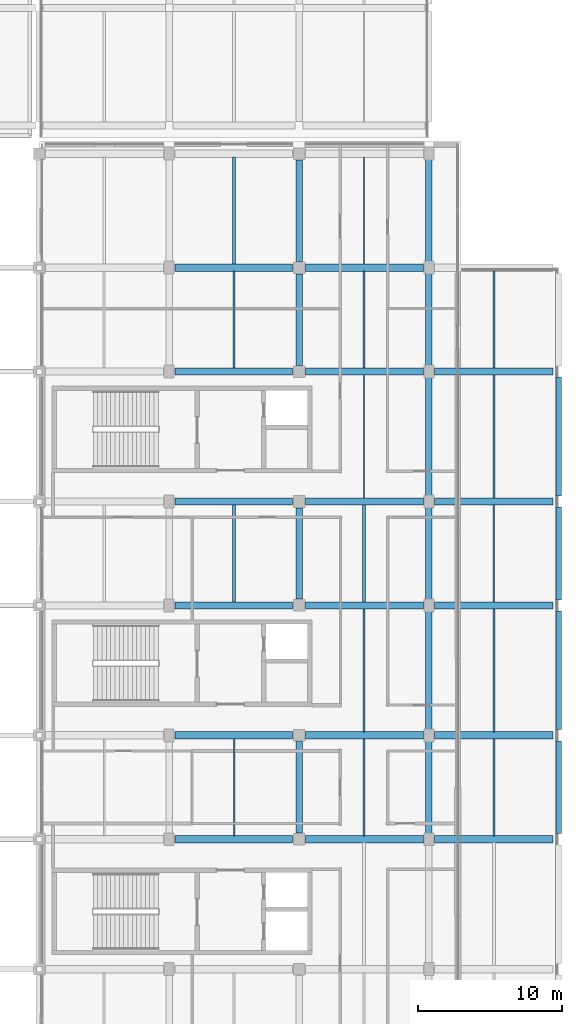
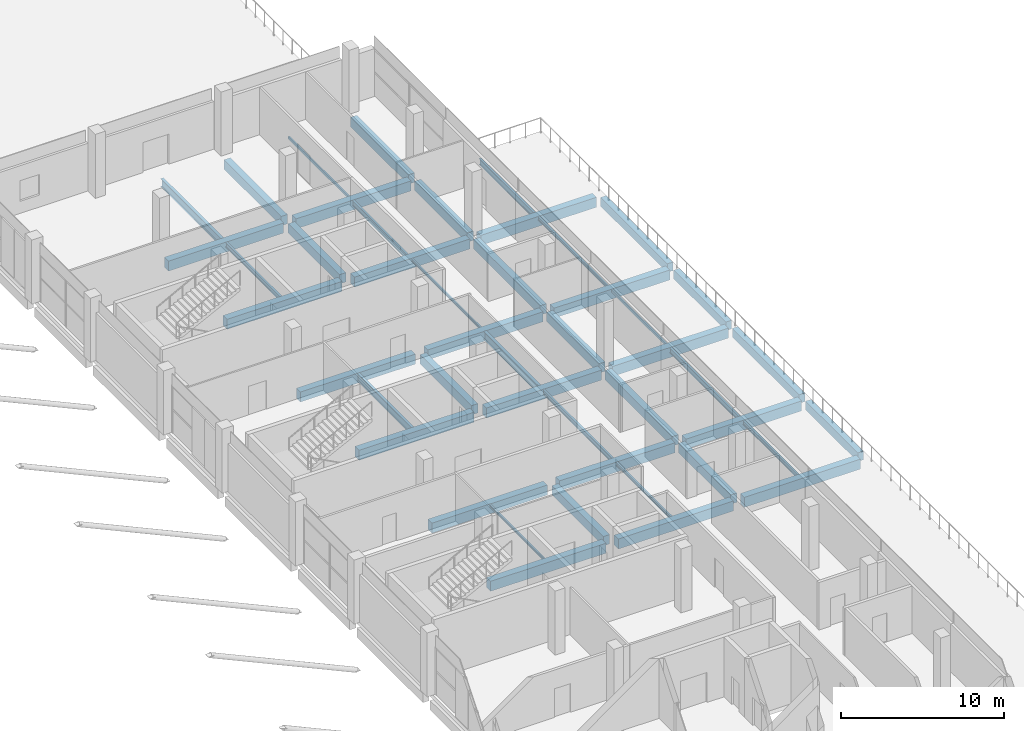
# One storey, part 32 of 82: 46 beams.
"""IFC4 building model written with IfcOpenShell, lengths in metres."""

from ifc_helpers import new_model, si_unit, direction, frame, origin, origin_2d, place, context, subcontext, project, spatial, rectangle, hollow_rectangle, i_section, extrude, material, material_profile, profile_set, type_object, element, save


model = new_model("IFC4")

# Units and contexts
model_context = context("Model", 3, precision=1e-05, world=origin(), true_north=direction((0.0, 1.0)))
body_context = subcontext(model_context, "Body", "Model", "MODEL_VIEW")
ifc_project = project(units=[si_unit("LENGTHUNIT", "METRE"), si_unit("AREAUNIT", "SQUARE_METRE"), si_unit("VOLUMEUNIT", "CUBIC_METRE"), si_unit("PLANEANGLEUNIT", "RADIAN"), si_unit("MASSUNIT", "GRAM", prefix="KILO"), si_unit("THERMODYNAMICTEMPERATUREUNIT", "KELVIN"), si_unit("POWERUNIT", "WATT")], contexts=[model_context])

# Site, building, storey
site_placement = place(None, origin())
site = spatial("IfcSite", under=ifc_project, at=site_placement, CompositionType="ELEMENT")
building_placement = place(site_placement, origin())
building = spatial("IfcBuilding", under=site, at=building_placement, Name="Sindhuravela Promenade Stadium", CompositionType="ELEMENT")
storey_placement = place(building_placement, frame((0.0, 0.0, 14.39990234375)))
storey = spatial("IfcBuildingStorey", under=building, at=storey_placement, Name="L03", CompositionType="ELEMENT", Elevation=14.39990234375)

# Beams
ifc_material_1 = material(Name="Concrete M40", Category="concrete")
ifc_material_profile_1 = material_profile(ifc_material_1, rectangle(XDim=0.39990234375, YDim=0.64990234375, at=origin_2d()), Name="RC 400x650")
ifc_profile_set_1 = profile_set([ifc_material_profile_1], Name="Concrete M40")
beam_type_1 = type_object("IfcBeamType", Name="RC-BM-400x650", PredefinedType="SPANDREL", material=ifc_profile_set_1)
beam_1_placement = place(storey_placement, frame((216.0, 77.7900390625, -0.635009765625), z_axis=(0.0, 1.0, 0.0), x_axis=(-1.0, 0.0, 0.0)))
element("IfcBeam", 1, at=beam_1_placement, inside=storey, type_object=beam_type_1, Name="Primary beam SP01 EAST L03", PredefinedType="SPANDREL", context=body_context, shape_type="SweptSolid", body=[
    extrude(rectangle(XDim=0.39990234375, YDim=0.64990234375, at=origin_2d()), origin(), (0.0, 0.0, 1.0), 6.419921875),
])
beam_2_placement = place(storey_placement, frame((216.0, 84.989990234375, -0.635009765625), z_axis=(0.0, 1.0, 0.0), x_axis=(-1.0, 0.0, 0.0)))
element("IfcBeam", 2, at=beam_2_placement, inside=storey, type_object=beam_type_1, Name="Primary beam SP01 EAST L03", PredefinedType="SPANDREL", context=body_context, shape_type="SweptSolid", body=[
    extrude(rectangle(XDim=0.39990234375, YDim=0.64990234375, at=origin_2d()), origin(), (0.0, 0.0, 1.0), 8.219970703125),
])
beam_3_placement = place(storey_placement, frame((216.0, 93.989990234375, -0.635009765625), z_axis=(0.0, 1.0, 0.0), x_axis=(-1.0, 0.0, 0.0)))
element("IfcBeam", 3, at=beam_3_placement, inside=storey, type_object=beam_type_1, Name="Primary beam SP01 EAST L03", PredefinedType="SPANDREL", context=body_context, shape_type="SweptSolid", body=[
    extrude(rectangle(XDim=0.39990234375, YDim=0.64990234375, at=origin_2d()), origin(), (0.0, 0.0, 1.0), 6.419921875),
])
beam_4_placement = place(storey_placement, frame((216.0, 101.18994140625, -0.635009765625), z_axis=(0.0, 1.0, 0.0), x_axis=(-1.0, 0.0, 0.0)))
element("IfcBeam", 4, at=beam_4_placement, inside=storey, type_object=beam_type_1, Name="Primary beam SP01 EAST L03", PredefinedType="SPANDREL", context=body_context, shape_type="SweptSolid", body=[
    extrude(rectangle(XDim=0.39990234375, YDim=0.64990234375, at=origin_2d()), origin(), (0.0, 0.0, 1.0), 8.219970703125),
])
ifc_material_profile_2 = material_profile(ifc_material_1, rectangle(XDim=0.449951171875, YDim=0.699951171875, at=origin_2d()), Name="RC 450x700")
ifc_profile_set_2 = profile_set([ifc_material_profile_2], Name="Concrete M40")
beam_type_2 = type_object("IfcBeamType", Name="RC-BM-450x700", PredefinedType="BEAM", material=ifc_profile_set_2)
beam_5_placement = place(storey_placement, frame((198.0, 77.840087890625, -0.64990234375), z_axis=(0.0, 1.0, 0.0), x_axis=(-1.0, 0.0, 0.0)))
element("IfcBeam", 5, at=beam_5_placement, inside=storey, type_object=beam_type_2, Name="Primary beam GB07 EAST L03", PredefinedType="BEAM", context=body_context, shape_type="SweptSolid", body=[
    extrude(rectangle(XDim=0.449951171875, YDim=0.699951171875, at=origin_2d()), origin(), (0.0, 0.0, 1.0), 6.31982421875),
])
for number, where, z_axis, x_axis, name in (
    (6, (198.0, 94.0400390625, -0.64990234375), (0.0, 1.0, 0.0), (-1.0, 0.0, 0.0), "Primary beam GB07 EAST L03"),
    (7, (198.0, 110.239990234375, -0.64990234375), (0.0, 1.0, 0.0), (-1.0, 0.0, 0.0), "Primary beam GB07 EAST L03"),
):
    element("IfcBeam", number, at=place(storey_placement, frame(where, z_axis=z_axis, x_axis=x_axis)), inside=storey, type_object=beam_type_2, Name=name, PredefinedType="BEAM", context=body_context, shape_type="SweptSolid", body=[
        extrude(rectangle(XDim=0.449951171875, YDim=0.699951171875, at=origin_2d()), origin(), (0.0, 0.0, 1.0), 6.320068359375),
    ])
beam_6_placement = place(storey_placement, frame((198.0, 117.43994140625, -0.64990234375), z_axis=(0.0, 1.0, 0.0), x_axis=(-1.0, 0.0, 0.0)))
element("IfcBeam", 8, at=beam_6_placement, inside=storey, type_object=beam_type_2, Name="Primary beam GB07 EAST L03", PredefinedType="BEAM", context=body_context, shape_type="SweptSolid", body=[
    extrude(rectangle(XDim=0.449951171875, YDim=0.699951171875, at=origin_2d()), origin(), (0.0, 0.0, 1.0), 7.02001953125),
])
beam_7_placement = place(storey_placement, frame((207.0, 77.7900390625, -0.64990234375), z_axis=(0.0, 1.0, 0.0), x_axis=(-1.0, 0.0, 0.0)))
element("IfcBeam", 9, at=beam_7_placement, inside=storey, type_object=beam_type_2, Name="Primary beam GB07 EAST L03", PredefinedType="BEAM", context=body_context, shape_type="SweptSolid", body=[
    extrude(rectangle(XDim=0.449951171875, YDim=0.699951171875, at=origin_2d()), origin(), (0.0, 0.0, 1.0), 6.419921875),
])
beam_8_placement = place(storey_placement, frame((207.0, 84.989990234375, -0.64990234375), z_axis=(0.0, 1.0, 0.0), x_axis=(-1.0, 0.0, 0.0)))
element("IfcBeam", 10, at=beam_8_placement, inside=storey, type_object=beam_type_2, Name="Primary beam GB07 EAST L03", PredefinedType="BEAM", context=body_context, shape_type="SweptSolid", body=[
    extrude(rectangle(XDim=0.449951171875, YDim=0.699951171875, at=origin_2d()), origin(), (0.0, 0.0, 1.0), 8.219970703125),
])
beam_9_placement = place(storey_placement, frame((207.0, 93.989990234375, -0.64990234375), z_axis=(0.0, 1.0, 0.0), x_axis=(-1.0, 0.0, 0.0)))
element("IfcBeam", 11, at=beam_9_placement, inside=storey, type_object=beam_type_2, Name="Primary beam GB07 EAST L03", PredefinedType="BEAM", context=body_context, shape_type="SweptSolid", body=[
    extrude(rectangle(XDim=0.449951171875, YDim=0.699951171875, at=origin_2d()), origin(), (0.0, 0.0, 1.0), 6.419921875),
])
beam_10_placement = place(storey_placement, frame((207.0, 101.18994140625, -0.64990234375), z_axis=(0.0, 1.0, 0.0), x_axis=(-1.0, 0.0, 0.0)))
element("IfcBeam", 12, at=beam_10_placement, inside=storey, type_object=beam_type_2, Name="Primary beam GB07 EAST L03", PredefinedType="BEAM", context=body_context, shape_type="SweptSolid", body=[
    extrude(rectangle(XDim=0.449951171875, YDim=0.699951171875, at=origin_2d()), origin(), (0.0, 0.0, 1.0), 8.219970703125),
])
beam_11_placement = place(storey_placement, frame((207.0, 110.18994140625, -0.64990234375), z_axis=(0.0, 1.0, 0.0), x_axis=(-1.0, 0.0, 0.0)))
element("IfcBeam", 13, at=beam_11_placement, inside=storey, type_object=beam_type_2, Name="Primary beam GB07 EAST L03", PredefinedType="BEAM", context=body_context, shape_type="SweptSolid", body=[
    extrude(rectangle(XDim=0.449951171875, YDim=0.699951171875, at=origin_2d()), origin(), (0.0, 0.0, 1.0), 6.420166015625),
])
beam_12_placement = place(storey_placement, frame((207.0, 117.389892578125, -0.64990234375), z_axis=(0.0, 1.0, 0.0), x_axis=(-1.0, 0.0, 0.0)))
element("IfcBeam", 14, at=beam_12_placement, inside=storey, type_object=beam_type_2, Name="Primary beam GB07 EAST L03", PredefinedType="BEAM", context=body_context, shape_type="SweptSolid", body=[
    extrude(rectangle(XDim=0.449951171875, YDim=0.699951171875, at=origin_2d()), origin(), (0.0, 0.0, 1.0), 7.1201171875),
])
ifc_material_profile_3 = material_profile(ifc_material_1, rectangle(XDim=0.5, YDim=0.75, at=origin_2d()), Name="RC 500x750")
ifc_profile_set_3 = profile_set([ifc_material_profile_3], Name="Concrete M40")
beam_type_3 = type_object("IfcBeamType", Name="RC-BM-500x750", PredefinedType="BEAM", material=ifc_profile_set_3)
for number, where, z_axis, x_axis, name in (
    (15, (189.389892578125, 77.39990234375, -0.6748046875), (1.0, 0.0, 0.0), (0.0, 1.0, 0.0), "Primary girder GB06 EAST L03"),
    (16, (198.43994140625, 77.39990234375, -0.6748046875), (1.0, 0.0, 0.0), (0.0, 1.0, 0.0), "Primary girder GB06 EAST L03"),
):
    element("IfcBeam", number, at=place(storey_placement, frame(where, z_axis=z_axis, x_axis=x_axis)), inside=storey, type_object=beam_type_3, Name=name, PredefinedType="BEAM", context=body_context, shape_type="SweptSolid", body=[
        extrude(rectangle(XDim=0.5, YDim=0.75, at=origin_2d()), origin(), (0.0, 0.0, 1.0), 8.170166015625),
    ])
beam_13_placement = place(storey_placement, frame((207.389892578125, 77.39990234375, -0.684814453125), z_axis=(1.0, 0.0, 0.0), x_axis=(0.0, 1.0, 0.0)))
element("IfcBeam", 17, at=beam_13_placement, inside=storey, type_object=beam_type_3, Name="Primary girder GB06 EAST L03", PredefinedType="BEAM", context=body_context, shape_type="SweptSolid", body=[
    extrude(rectangle(XDim=0.5, YDim=0.75, at=origin_2d()), origin(), (0.0, 0.0, 1.0), 8.22021484375),
])
for number, where, z_axis, x_axis, name in (
    (18, (189.389892578125, 84.60009765625, -0.6748046875), (1.0, 0.0, 0.0), (0.0, 1.0, 0.0), "Primary girder GB06 EAST L03"),
    (19, (198.43994140625, 84.60009765625, -0.6748046875), (1.0, 0.0, 0.0), (0.0, 1.0, 0.0), "Primary girder GB06 EAST L03"),
):
    element("IfcBeam", number, at=place(storey_placement, frame(where, z_axis=z_axis, x_axis=x_axis)), inside=storey, type_object=beam_type_3, Name=name, PredefinedType="BEAM", context=body_context, shape_type="SweptSolid", body=[
        extrude(rectangle(XDim=0.5, YDim=0.75, at=origin_2d()), origin(), (0.0, 0.0, 1.0), 8.170166015625),
    ])
beam_14_placement = place(storey_placement, frame((207.389892578125, 84.60009765625, -0.684814453125), z_axis=(1.0, 0.0, 0.0), x_axis=(0.0, 1.0, 0.0)))
element("IfcBeam", 20, at=beam_14_placement, inside=storey, type_object=beam_type_3, Name="Primary girder GB06 EAST L03", PredefinedType="BEAM", context=body_context, shape_type="SweptSolid", body=[
    extrude(rectangle(XDim=0.5, YDim=0.75, at=origin_2d()), origin(), (0.0, 0.0, 1.0), 8.22021484375),
])
for number, where, z_axis, x_axis, name in (
    (21, (189.389892578125, 93.60009765625, -0.6748046875), (1.0, 0.0, 0.0), (0.0, 1.0, 0.0), "Primary girder GB06 EAST L03"),
    (22, (198.43994140625, 93.60009765625, -0.6748046875), (1.0, 0.0, 0.0), (0.0, 1.0, 0.0), "Primary girder GB06 EAST L03"),
):
    element("IfcBeam", number, at=place(storey_placement, frame(where, z_axis=z_axis, x_axis=x_axis)), inside=storey, type_object=beam_type_3, Name=name, PredefinedType="BEAM", context=body_context, shape_type="SweptSolid", body=[
        extrude(rectangle(XDim=0.5, YDim=0.75, at=origin_2d()), origin(), (0.0, 0.0, 1.0), 8.170166015625),
    ])
beam_15_placement = place(storey_placement, frame((207.389892578125, 93.60009765625, -0.684814453125), z_axis=(1.0, 0.0, 0.0), x_axis=(0.0, 1.0, 0.0)))
element("IfcBeam", 23, at=beam_15_placement, inside=storey, type_object=beam_type_3, Name="Primary girder GB06 EAST L03", PredefinedType="BEAM", context=body_context, shape_type="SweptSolid", body=[
    extrude(rectangle(XDim=0.5, YDim=0.75, at=origin_2d()), origin(), (0.0, 0.0, 1.0), 8.22021484375),
])
for number, where, z_axis, x_axis, name in (
    (24, (189.389892578125, 100.800048828125, -0.6748046875), (1.0, 0.0, 0.0), (0.0, 1.0, 0.0), "Primary girder GB06 EAST L03"),
    (25, (198.43994140625, 100.800048828125, -0.6748046875), (1.0, 0.0, 0.0), (0.0, 1.0, 0.0), "Primary girder GB06 EAST L03"),
):
    element("IfcBeam", number, at=place(storey_placement, frame(where, z_axis=z_axis, x_axis=x_axis)), inside=storey, type_object=beam_type_3, Name=name, PredefinedType="BEAM", context=body_context, shape_type="SweptSolid", body=[
        extrude(rectangle(XDim=0.5, YDim=0.75, at=origin_2d()), origin(), (0.0, 0.0, 1.0), 8.170166015625),
    ])
beam_16_placement = place(storey_placement, frame((207.389892578125, 100.800048828125, -0.684814453125), z_axis=(1.0, 0.0, 0.0), x_axis=(0.0, 1.0, 0.0)))
element("IfcBeam", 26, at=beam_16_placement, inside=storey, type_object=beam_type_3, Name="Primary girder GB06 EAST L03", PredefinedType="BEAM", context=body_context, shape_type="SweptSolid", body=[
    extrude(rectangle(XDim=0.5, YDim=0.75, at=origin_2d()), origin(), (0.0, 0.0, 1.0), 8.22021484375),
])
for number, where, z_axis, x_axis, name in (
    (27, (189.389892578125, 109.800048828125, -0.6748046875), (1.0, 0.0, 0.0), (0.0, 1.0, 0.0), "Primary girder GB06 EAST L03"),
    (28, (198.43994140625, 109.800048828125, -0.6748046875), (1.0, 0.0, 0.0), (0.0, 1.0, 0.0), "Primary girder GB06 EAST L03"),
):
    element("IfcBeam", number, at=place(storey_placement, frame(where, z_axis=z_axis, x_axis=x_axis)), inside=storey, type_object=beam_type_3, Name=name, PredefinedType="BEAM", context=body_context, shape_type="SweptSolid", body=[
        extrude(rectangle(XDim=0.5, YDim=0.75, at=origin_2d()), origin(), (0.0, 0.0, 1.0), 8.170166015625),
    ])
beam_17_placement = place(storey_placement, frame((207.389892578125, 109.800048828125, -0.684814453125), z_axis=(1.0, 0.0, 0.0), x_axis=(0.0, 1.0, 0.0)))
element("IfcBeam", 29, at=beam_17_placement, inside=storey, type_object=beam_type_3, Name="Primary girder GB06 EAST L03", PredefinedType="BEAM", context=body_context, shape_type="SweptSolid", body=[
    extrude(rectangle(XDim=0.5, YDim=0.75, at=origin_2d()), origin(), (0.0, 0.0, 1.0), 8.22021484375),
])
for number, where, z_axis, x_axis, name in (
    (30, (189.389892578125, 117.0, -0.6748046875), (1.0, 0.0, 0.0), (0.0, 1.0, 0.0), "Primary girder GB06 EAST L03"),
    (31, (198.43994140625, 117.0, -0.6748046875), (1.0, 0.0, 0.0), (0.0, 1.0, 0.0), "Primary girder GB06 EAST L03"),
):
    element("IfcBeam", number, at=place(storey_placement, frame(where, z_axis=z_axis, x_axis=x_axis)), inside=storey, type_object=beam_type_3, Name=name, PredefinedType="BEAM", context=body_context, shape_type="SweptSolid", body=[
        extrude(rectangle(XDim=0.5, YDim=0.75, at=origin_2d()), origin(), (0.0, 0.0, 1.0), 8.170166015625),
    ])
ifc_material_2 = material(Name="Steel E350 (IS 2062 E350BR)", Category="steel")
ifc_material_profile_4 = material_profile(ifc_material_2, hollow_rectangle(XDim=0.10009765625, YDim=0.199951171875, WallThickness=0.008056640625, at=origin_2d()), Name="RHS 200x100x8")
ifc_profile_set_4 = profile_set([ifc_material_profile_4], Name="Steel E350 (IS 2062 E350BR)")
beam_type_4 = type_object("IfcBeamType", Name="ST-BM-LNT200", PredefinedType="LINTEL", material=ifc_profile_set_4)
beam_18_placement = place(storey_placement, frame((211.5, 93.840087890625, -0.409912109375), z_axis=(0.0, 1.0, 0.0), x_axis=(-1.0, 0.0, 0.0)))
element("IfcBeam", 32, at=beam_18_placement, inside=storey, type_object=beam_type_4, Name="Secondary floor joist LN01 EAST L03", PredefinedType="LINTEL", context=body_context, shape_type="SweptSolid", body=[
    extrude(hollow_rectangle(XDim=0.10009765625, YDim=0.199951171875, WallThickness=0.008056640625, at=origin_2d()), origin(), (0.0, 0.0, 1.0), 6.719970703125),
])
beam_19_placement = place(storey_placement, frame((202.5, 117.239990234375, -0.39990234375), z_axis=(0.0, 1.0, 0.0), x_axis=(-1.0, 0.0, 0.0)))
element("IfcBeam", 33, at=beam_19_placement, inside=storey, type_object=beam_type_4, Name="Secondary floor joist LN01 EAST L03", PredefinedType="LINTEL", context=body_context, shape_type="SweptSolid", body=[
    extrude(hollow_rectangle(XDim=0.10009765625, YDim=0.199951171875, WallThickness=0.008056640625, at=origin_2d()), origin(), (0.0, 0.0, 1.0), 7.419921875),
])
ifc_material_profile_5 = material_profile(ifc_material_2, i_section(OverallWidth=0.10009765625, OverallDepth=0.199951171875, WebThickness=0.005615234375, FlangeThickness=0.0107421875, FilletRadius=0.010986328125, at=origin_2d()), Name="ISMB 200")
ifc_profile_set_5 = profile_set([ifc_material_profile_5], Name="Steel E350 (IS 2062 E350BR)")
beam_type_5 = type_object("IfcBeamType", Name="ST-BM-MB200", PredefinedType="JOIST", material=ifc_profile_set_5)
beam_20_placement = place(storey_placement, frame((193.5, 77.639892578125, -0.39990234375), z_axis=(0.0, 1.0, 0.0), x_axis=(-1.0, 0.0, 0.0)))
element("IfcBeam", 34, at=beam_20_placement, inside=storey, type_object=beam_type_5, Name="Secondary floor joist SB01 EAST L03", PredefinedType="JOIST", context=body_context, shape_type="SweptSolid", body=[
    extrude(i_section(OverallWidth=0.10009765625, OverallDepth=0.199951171875, WebThickness=0.005615234375, FlangeThickness=0.0107421875, FilletRadius=0.010986328125, at=origin_2d()), origin(), (0.0, 0.0, 1.0), 6.72021484375),
])
beam_21_placement = place(storey_placement, frame((202.5, 101.0400390625, -0.39990234375), z_axis=(0.0, 1.0, 0.0), x_axis=(-1.0, 0.0, 0.0)))
element("IfcBeam", 35, at=beam_21_placement, inside=storey, type_object=beam_type_5, Name="Secondary floor joist SB01 EAST L03", PredefinedType="JOIST", context=body_context, shape_type="SweptSolid", body=[
    extrude(i_section(OverallWidth=0.10009765625, OverallDepth=0.199951171875, WebThickness=0.005615234375, FlangeThickness=0.0107421875, FilletRadius=0.010986328125, at=origin_2d()), origin(), (0.0, 0.0, 1.0), 8.52001953125),
])
ifc_material_profile_6 = material_profile(ifc_material_2, i_section(OverallWidth=0.125, OverallDepth=0.25, WebThickness=0.0068359375, FlangeThickness=0.012451171875, FilletRadius=0.012939453125, at=origin_2d()), Name="ISMB 250")
ifc_profile_set_6 = profile_set([ifc_material_profile_6], Name="Steel E350 (IS 2062 E350BR)")
beam_type_6 = type_object("IfcBeamType", Name="ST-BM-MB250", PredefinedType="JOIST", material=ifc_profile_set_6)
beam_22_placement = place(storey_placement, frame((202.5, 77.639892578125, -0.4248046875), z_axis=(0.0, 1.0, 0.0), x_axis=(-1.0, 0.0, 0.0)))
element("IfcBeam", 36, at=beam_22_placement, inside=storey, type_object=beam_type_6, Name="Secondary floor joist SB02 EAST L03", PredefinedType="JOIST", context=body_context, shape_type="SweptSolid", body=[
    extrude(i_section(OverallWidth=0.125, OverallDepth=0.25, WebThickness=0.0068359375, FlangeThickness=0.012451171875, FilletRadius=0.012939453125, at=origin_2d()), origin(), (0.0, 0.0, 1.0), 6.72021484375),
])
beam_23_placement = place(storey_placement, frame((211.5, 101.0400390625, -0.434814453125), z_axis=(0.0, 1.0, 0.0), x_axis=(-1.0, 0.0, 0.0)))
element("IfcBeam", 37, at=beam_23_placement, inside=storey, type_object=beam_type_6, Name="Secondary floor joist SB02 EAST L03", PredefinedType="JOIST", context=body_context, shape_type="SweptSolid", body=[
    extrude(i_section(OverallWidth=0.125, OverallDepth=0.25, WebThickness=0.0068359375, FlangeThickness=0.012451171875, FilletRadius=0.012939453125, at=origin_2d()), origin(), (0.0, 0.0, 1.0), 8.52001953125),
])
ifc_material_profile_7 = material_profile(ifc_material_2, i_section(OverallWidth=0.139892578125, OverallDepth=0.300048828125, WebThickness=0.0078125, FlangeThickness=0.01318359375, FilletRadius=0.013916015625, at=origin_2d()), Name="ISMB 300")
ifc_profile_set_7 = profile_set([ifc_material_profile_7], Name="Steel E350 (IS 2062 E350BR)")
beam_type_7 = type_object("IfcBeamType", Name="ST-BM-MB300", PredefinedType="JOIST", material=ifc_profile_set_7)
beam_24_placement = place(storey_placement, frame((211.5, 77.639892578125, -0.4599609375), z_axis=(0.0, 1.0, 0.0), x_axis=(-1.0, 0.0, 0.0)))
element("IfcBeam", 38, at=beam_24_placement, inside=storey, type_object=beam_type_7, Name="Secondary floor joist SB03 EAST L03", PredefinedType="JOIST", context=body_context, shape_type="SweptSolid", body=[
    extrude(i_section(OverallWidth=0.139892578125, OverallDepth=0.300048828125, WebThickness=0.0078125, FlangeThickness=0.01318359375, FilletRadius=0.013916015625, at=origin_2d()), origin(), (0.0, 0.0, 1.0), 6.72021484375),
])
ifc_material_profile_8 = material_profile(ifc_material_2, i_section(OverallWidth=0.139892578125, OverallDepth=0.35009765625, WebThickness=0.008056640625, FlangeThickness=0.01416015625, FilletRadius=0.013916015625, at=origin_2d()), Name="ISMB 350")
ifc_profile_set_8 = profile_set([ifc_material_profile_8], Name="Steel E350 (IS 2062 E350BR)")
beam_type_8 = type_object("IfcBeamType", Name="ST-BM-MB350", PredefinedType="JOIST", material=ifc_profile_set_8)
beam_25_placement = place(storey_placement, frame((202.5, 84.840087890625, -0.474853515625), z_axis=(0.0, 1.0, 0.0), x_axis=(-1.0, 0.0, 0.0)))
element("IfcBeam", 39, at=beam_25_placement, inside=storey, type_object=beam_type_8, Name="Secondary floor joist SB04 EAST L03", PredefinedType="JOIST", context=body_context, shape_type="SweptSolid", body=[
    extrude(i_section(OverallWidth=0.139892578125, OverallDepth=0.35009765625, WebThickness=0.008056640625, FlangeThickness=0.01416015625, FilletRadius=0.013916015625, at=origin_2d()), origin(), (0.0, 0.0, 1.0), 8.52001953125),
])
beam_26_placement = place(storey_placement, frame((193.5, 110.0400390625, -0.474853515625), z_axis=(0.0, 1.0, 0.0), x_axis=(-1.0, 0.0, 0.0)))
element("IfcBeam", 40, at=beam_26_placement, inside=storey, type_object=beam_type_8, Name="Secondary floor joist SB04 EAST L03", PredefinedType="JOIST", context=body_context, shape_type="SweptSolid", body=[
    extrude(i_section(OverallWidth=0.139892578125, OverallDepth=0.35009765625, WebThickness=0.008056640625, FlangeThickness=0.01416015625, FilletRadius=0.013916015625, at=origin_2d()), origin(), (0.0, 0.0, 1.0), 6.719970703125),
])
ifc_material_profile_9 = material_profile(ifc_material_2, i_section(OverallWidth=0.139892578125, OverallDepth=0.39990234375, WebThickness=0.0087890625, FlangeThickness=0.01611328125, FilletRadius=0.013916015625, at=origin_2d()), Name="ISMB 400")
ifc_profile_set_9 = profile_set([ifc_material_profile_9], Name="Steel E350 (IS 2062 E350BR)")
beam_type_9 = type_object("IfcBeamType", Name="ST-BM-MB400", PredefinedType="BEAM", material=ifc_profile_set_9)
beam_27_placement = place(storey_placement, frame((211.5, 84.840087890625, -0.510009765625), z_axis=(0.0, 1.0, 0.0), x_axis=(-1.0, 0.0, 0.0)))
element("IfcBeam", 41, at=beam_27_placement, inside=storey, type_object=beam_type_9, Name="Secondary floor joist SB05 EAST L03", PredefinedType="BEAM", context=body_context, shape_type="SweptSolid", body=[
    extrude(i_section(OverallWidth=0.139892578125, OverallDepth=0.39990234375, WebThickness=0.0087890625, FlangeThickness=0.01611328125, FilletRadius=0.013916015625, at=origin_2d()), origin(), (0.0, 0.0, 1.0), 8.52001953125),
])
beam_28_placement = place(storey_placement, frame((202.5, 110.0400390625, -0.5), z_axis=(0.0, 1.0, 0.0), x_axis=(-1.0, 0.0, 0.0)))
element("IfcBeam", 42, at=beam_28_placement, inside=storey, type_object=beam_type_9, Name="Secondary floor joist SB05 EAST L03", PredefinedType="BEAM", context=body_context, shape_type="SweptSolid", body=[
    extrude(i_section(OverallWidth=0.139892578125, OverallDepth=0.39990234375, WebThickness=0.0087890625, FlangeThickness=0.01611328125, FilletRadius=0.013916015625, at=origin_2d()), origin(), (0.0, 0.0, 1.0), 6.719970703125),
])
ifc_material_profile_10 = material_profile(ifc_material_2, i_section(OverallWidth=0.14990234375, OverallDepth=0.449951171875, WebThickness=0.009521484375, FlangeThickness=0.017333984375, FilletRadius=0.014892578125, at=origin_2d()), Name="ISMB 450")
ifc_profile_set_10 = profile_set([ifc_material_profile_10], Name="Steel E350 (IS 2062 E350BR)")
beam_type_10 = type_object("IfcBeamType", Name="ST-BM-MB450", PredefinedType="BEAM", material=ifc_profile_set_10)
beam_29_placement = place(storey_placement, frame((211.5, 110.0400390625, -0.534912109375), z_axis=(0.0, 1.0, 0.0), x_axis=(-1.0, 0.0, 0.0)))
element("IfcBeam", 43, at=beam_29_placement, inside=storey, type_object=beam_type_10, Name="Secondary floor joist SB06 EAST L03", PredefinedType="BEAM", context=body_context, shape_type="SweptSolid", body=[
    extrude(i_section(OverallWidth=0.14990234375, OverallDepth=0.449951171875, WebThickness=0.009521484375, FlangeThickness=0.017333984375, FilletRadius=0.014892578125, at=origin_2d()), origin(), (0.0, 0.0, 1.0), 6.719970703125),
])
ifc_material_profile_11 = material_profile(ifc_material_2, i_section(OverallWidth=0.18994140625, OverallDepth=0.550048828125, WebThickness=0.01123046875, FlangeThickness=0.019287109375, FilletRadius=0.01806640625, at=origin_2d()), Name="ISMB 550")
ifc_profile_set_11 = profile_set([ifc_material_profile_11], Name="Steel E350 (IS 2062 E350BR)")
beam_type_11 = type_object("IfcBeamType", Name="ST-BM-MB550", PredefinedType="SPANDREL", material=ifc_profile_set_11)
beam_30_placement = place(storey_placement, frame((193.5, 93.840087890625, -0.574951171875), z_axis=(0.0, 1.0, 0.0), x_axis=(-1.0, 0.0, 0.0)))
element("IfcBeam", 44, at=beam_30_placement, inside=storey, type_object=beam_type_11, Name="Secondary floor joist SB08 EAST L03", PredefinedType="SPANDREL", context=body_context, shape_type="SweptSolid", body=[
    extrude(i_section(OverallWidth=0.18994140625, OverallDepth=0.550048828125, WebThickness=0.01123046875, FlangeThickness=0.019287109375, FilletRadius=0.01806640625, at=origin_2d()), origin(), (0.0, 0.0, 1.0), 6.719970703125),
])
ifc_material_profile_12 = material_profile(ifc_material_2, i_section(OverallWidth=0.2099609375, OverallDepth=0.60009765625, WebThickness=0.011962890625, FlangeThickness=0.020751953125, FilletRadius=0.02001953125, at=origin_2d()), Name="ISMB 600")
ifc_profile_set_12 = profile_set([ifc_material_profile_12], Name="Steel E350 (IS 2062 E350BR)")
beam_type_12 = type_object("IfcBeamType", Name="ST-BM-MB600", PredefinedType="BEAM", material=ifc_profile_set_12)
beam_31_placement = place(storey_placement, frame((202.5, 93.840087890625, -0.599853515625), z_axis=(0.0, 1.0, 0.0), x_axis=(-1.0, 0.0, 0.0)))
element("IfcBeam", 45, at=beam_31_placement, inside=storey, type_object=beam_type_12, Name="Secondary floor joist SB09 EAST L03", PredefinedType="BEAM", context=body_context, shape_type="SweptSolid", body=[
    extrude(i_section(OverallWidth=0.2099609375, OverallDepth=0.60009765625, WebThickness=0.011962890625, FlangeThickness=0.020751953125, FilletRadius=0.02001953125, at=origin_2d()), origin(), (0.0, 0.0, 1.0), 6.719970703125),
])
beam_32_placement = place(storey_placement, frame((193.5, 117.239990234375, -0.599853515625), z_axis=(0.0, 1.0, 0.0), x_axis=(-1.0, 0.0, 0.0)))
element("IfcBeam", 46, at=beam_32_placement, inside=storey, type_object=beam_type_12, Name="Secondary floor joist SB09 EAST L03", PredefinedType="BEAM", context=body_context, shape_type="SweptSolid", body=[
    extrude(i_section(OverallWidth=0.2099609375, OverallDepth=0.60009765625, WebThickness=0.011962890625, FlangeThickness=0.020751953125, FilletRadius=0.02001953125, at=origin_2d()), origin(), (0.0, 0.0, 1.0), 7.419921875),
])

save(model, "model.ifc")
